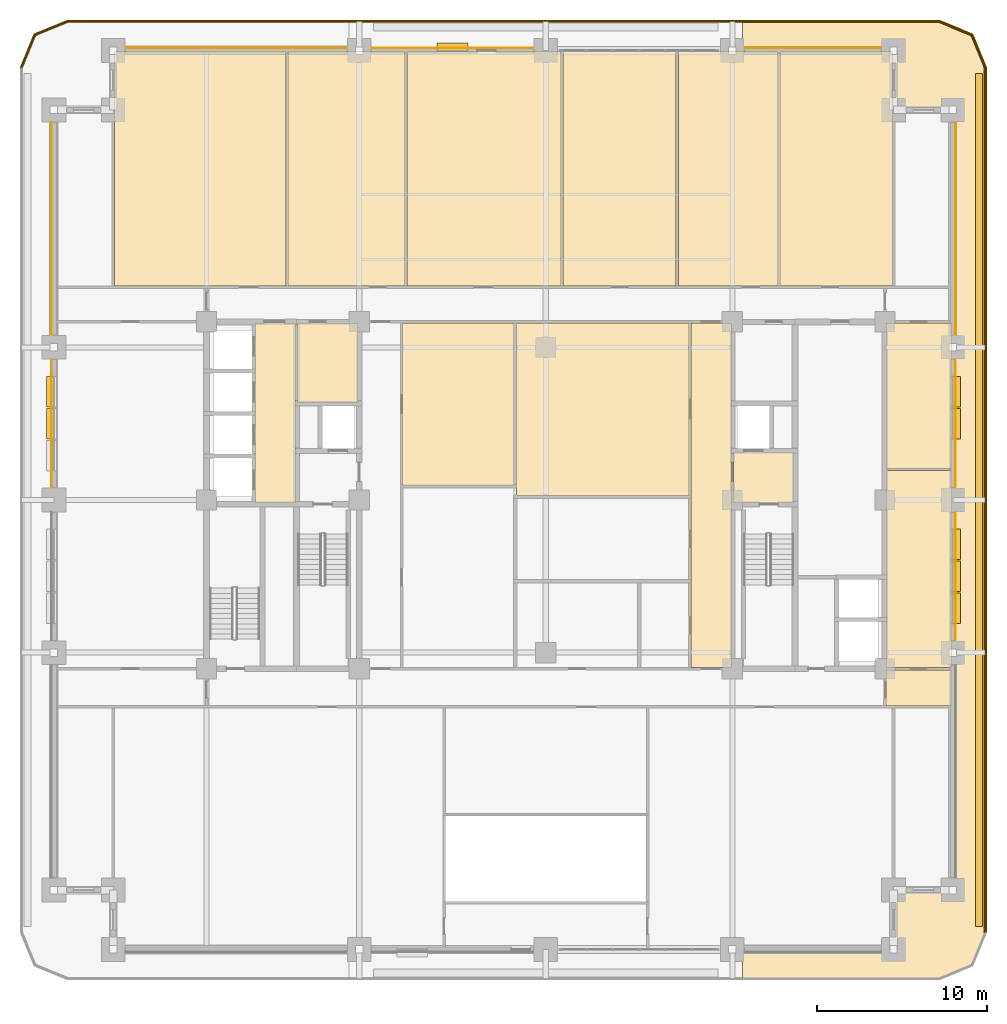
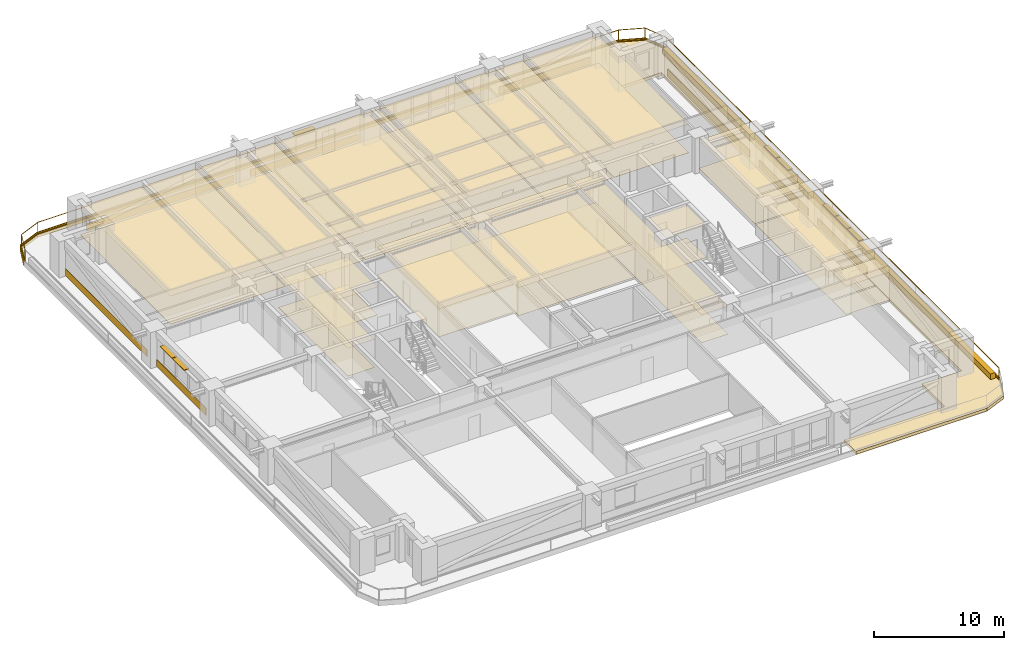
# One storey, part 20 of 20: 46 coverings, 8 shading devices, 2 railings.
"""IFC4 building model written with IfcOpenShell, lengths in metres."""

from ifc_helpers import new_model, si_unit, direction, frame, frame_2d, origin, origin_2d, place, context, subcontext, project, spatial, polyline, rectangle, outline, extrude, material, layer, layer_set, type_object, element, save


model = new_model("IFC4")

# Units and contexts
model_context = context("Model", 3, precision=1e-05, world=origin(), true_north=direction((0.0, 1.0)))
body_context = subcontext(model_context, "Body", "Model", "MODEL_VIEW")
ifc_project = project(units=[si_unit("LENGTHUNIT", "METRE"), si_unit("AREAUNIT", "SQUARE_METRE"), si_unit("VOLUMEUNIT", "CUBIC_METRE"), si_unit("PLANEANGLEUNIT", "RADIAN"), si_unit("MASSUNIT", "GRAM", prefix="KILO")], contexts=[model_context])

# Site, building, storey
site_placement = place(None, origin())
site = spatial("IfcSite", under=ifc_project, at=site_placement, CompositionType="ELEMENT")
building_placement = place(site_placement, origin())
building = spatial("IfcBuilding", under=site, at=building_placement, Name="Zulmaris Gate Convention Tower", CompositionType="ELEMENT")
storey_placement = place(building_placement, frame((0.0, 0.0, 75.0400390625)))
storey = spatial("IfcBuildingStorey", under=building, at=storey_placement, Name="L18", CompositionType="ELEMENT", Elevation=75.0400390625)

# Coverings
ifc_material_1 = material(Name="Precast concrete C40/50", Category="concrete")
ifc_layer_1 = layer(ifc_material_1, 0.0400390625, Name="Precast concrete C40/50")
ifc_layer_set_1 = layer_set([ifc_layer_1], Name="Precast concrete C40/50")
covering_type_1 = type_object("IfcCoveringType", Name="CLAD-SPANDREL-PRECAST", PredefinedType="CLADDING", material=ifc_layer_set_1)
covering_1_placement = place(storey_placement, frame((-11.72998046875, 26.64990234375, 0.0), z_axis=(0.0, 0.0, 1.0), x_axis=(-1.0, 0.0, 0.0)))
element("IfcCovering", 1, at=covering_1_placement, inside=storey, type_object=covering_type_1, Name="CLD-L18-N-0_0", PredefinedType="CLADDING", context=body_context, shape_type="SweptSolid", body=[
    extrude(rectangle(XDim=13.0400390625, YDim=0.0400390625, at=frame_2d((6.52001953125, 0.0))), origin(), (0.0, 0.0, 1.0), 0.679931640625),
])
covering_2_placement = place(storey_placement, frame((-0.72998046875, 26.64990234375, 0.0), z_axis=(0.0, 0.0, 1.0), x_axis=(-1.0, 0.0, 0.0)))
element("IfcCovering", 2, at=covering_2_placement, inside=storey, type_object=covering_type_1, Name="CLD-L18-N-1_0", PredefinedType="CLADDING", context=body_context, shape_type="SweptSolid", body=[
    extrude(rectangle(XDim=9.5400390625, YDim=0.0400390625, at=frame_2d((4.77001953125, 0.0))), origin(), (0.0, 0.0, 1.0), 0.679931640625),
])
covering_3_placement = place(storey_placement, frame((19.77001953125, 26.64990234375, 0.0), z_axis=(0.0, 0.0, 1.0), x_axis=(-1.0, 0.0, 0.0)))
element("IfcCovering", 3, at=covering_3_placement, inside=storey, type_object=covering_type_1, Name="CLD-L18-N-3_0", PredefinedType="CLADDING", context=body_context, shape_type="SweptSolid", body=[
    extrude(rectangle(XDim=8.0400390625, YDim=0.0400390625, at=frame_2d((4.02001953125, 0.0))), origin(), (0.0, 0.0, 1.0), 0.679931640625),
])
for number, where, z_axis, x_axis, name in (
    (4, (24.14990234375, -8.27001953125, 0.0), (0.0, 0.0, 1.0), (0.0, 1.0, 0.0), "CLD-L18-E-1_0"),
    (5, (24.14990234375, 0.72998046875, 0.0), (0.0, 0.0, 1.0), (0.0, 1.0, 0.0), "CLD-L18-E-2_0"),
):
    element("IfcCovering", number, at=place(storey_placement, frame(where, z_axis=z_axis, x_axis=x_axis)), inside=storey, type_object=covering_type_1, Name=name, PredefinedType="CLADDING", context=body_context, shape_type="SweptSolid", body=[
        extrude(rectangle(XDim=7.5400390625, YDim=0.0400390625, at=frame_2d((3.77001953125, 0.0))), origin(), (0.0, 0.0, 1.0), 0.679931640625),
    ])
covering_4_placement = place(storey_placement, frame((24.14990234375, 9.72998046875, 0.0), z_axis=(0.0, 0.0, 1.0), x_axis=(0.0, 1.0, 0.0)))
element("IfcCovering", 6, at=covering_4_placement, inside=storey, type_object=covering_type_1, Name="CLD-L18-E-3_0", PredefinedType="CLADDING", context=body_context, shape_type="SweptSolid", body=[
    extrude(rectangle(XDim=12.5400390625, YDim=0.0400390625, at=frame_2d((6.27001953125, 0.0))), origin(), (0.0, 0.0, 1.0), 0.679931640625),
])
covering_5_placement = place(storey_placement, frame((-29.14990234375, 8.27001953125, 0.0), z_axis=(0.0, 0.0, 1.0), x_axis=(0.0, -1.0, 0.0)))
element("IfcCovering", 7, at=covering_5_placement, inside=storey, type_object=covering_type_1, Name="CLD-L18-W-2_0", PredefinedType="CLADDING", context=body_context, shape_type="SweptSolid", body=[
    extrude(rectangle(XDim=7.5400390625, YDim=0.0400390625, at=frame_2d((3.77001953125, 0.0))), origin(), (0.0, 0.0, 1.0), 0.679931640625),
])
covering_6_placement = place(storey_placement, frame((-29.14990234375, 22.27001953125, 0.0), z_axis=(0.0, 0.0, 1.0), x_axis=(0.0, -1.0, 0.0)))
element("IfcCovering", 8, at=covering_6_placement, inside=storey, type_object=covering_type_1, Name="CLD-L18-W-3_0", PredefinedType="CLADDING", context=body_context, shape_type="SweptSolid", body=[
    extrude(rectangle(XDim=12.5400390625, YDim=0.0400390625, at=frame_2d((6.27001953125, 0.0))), origin(), (0.0, 0.0, 1.0), 0.679931640625),
])
ifc_material_2 = material(Name="White Glazed Architectural Precast Concrete C40/50", Category="concrete")
ifc_layer_2 = layer(ifc_material_2, 0.239990234375, Name="White Glazed Architectural Precast Concrete C40/50")
ifc_layer_set_2 = layer_set([ifc_layer_2], Name="White Glazed Architectural Precast Concrete C40/50")
covering_type_2 = type_object("IfcCoveringType", Name="CLAD-TRAY-DECK", PredefinedType="CLADDING", material=ifc_layer_set_2)
covering_7_placement = place(storey_placement, frame((0.0, 0.0, -0.324951171875)))
element("IfcCovering", 9, at=covering_7_placement, inside=storey, type_object=covering_type_2, Name="L18 East Rounded-Fascia Planter Tray Deck", PredefinedType="CLADDING", context=body_context, shape_type="SweptSolid", body=[
    extrude(outline(polyline([(23.199951171875, 28.300048828125), (25.179931640625, 27.47998046875), (26.0, 25.5), (26.0, -25.5), (25.179931640625, -27.47998046875), (23.199951171875, -28.300048828125), (11.60205078125, -28.300048828125), (11.60205078125, -26.5), (20.5, -26.5), (20.5, -23.0), (24.0, -23.0), (24.0, 23.0), (20.5, 23.0), (20.5, 26.5), (11.60205078125, 26.5), (11.60205078125, 28.300048828125), (23.199951171875, 28.300048828125)])), origin(), (0.0, 0.0, 1.0), 0.284912109375),
])
ifc_layer_3 = layer(ifc_material_2, 0.080078125, Name="White Glazed Architectural Precast Concrete C40/50")
ifc_layer_set_3 = layer_set([ifc_layer_3], Name="White Glazed Architectural Precast Concrete C40/50")
covering_type_3 = type_object("IfcCoveringType", Name="CLAD-TRAY-FASCIA", PredefinedType="CLADDING", material=ifc_layer_set_3)
covering_8_placement = place(storey_placement, frame((25.9599609375, -25.5, -0.364990234375), z_axis=(0.0, 0.0, 1.0), x_axis=(0.0, 1.0, 0.0)))
element("IfcCovering", 10, at=covering_8_placement, inside=storey, type_object=covering_type_3, Name="FSC-L18-TR-05", PredefinedType="CLADDING", context=body_context, shape_type="SweptSolid", body=[
    extrude(rectangle(XDim=51.0, YDim=0.080078125, at=frame_2d((25.5, 0.0))), origin(), (0.0, 0.0, 1.0), 0.48486328125),
])
covering_9_placement = place(storey_placement, frame((25.962890625, 25.484619140625, -0.364990234375), z_axis=(0.0, 0.0, 1.0), x_axis=(-0.382656984709, 0.923890487046, 0.0)))
element("IfcCovering", 11, at=covering_9_placement, inside=storey, type_object=covering_type_3, Name="FSC-L18-TR-06", PredefinedType="CLADDING", context=body_context, shape_type="SweptSolid", body=[
    extrude(rectangle(XDim=2.14306640625, YDim=0.080078125, at=frame_2d((1.071533203125, 0.0))), origin(), (0.0, 0.0, 1.0), 0.48486328125),
])
covering_10_placement = place(storey_placement, frame((25.16455078125, 27.44287109375, -0.364990234375), z_axis=(0.0, 0.0, 1.0), x_axis=(-0.923873803533, 0.382697263049, 0.0)))
element("IfcCovering", 12, at=covering_10_placement, inside=storey, type_object=covering_type_3, Name="FSC-L18-TR-07", PredefinedType="CLADDING", context=body_context, shape_type="SweptSolid", body=[
    extrude(rectangle(XDim=2.142822265625, YDim=0.080078125, at=frame_2d((1.0712890625, 0.0))), origin(), (0.0, 0.0, 1.0), 0.48486328125),
])
covering_11_placement = place(storey_placement, frame((23.199951171875, 28.260009765625, -0.364990234375), z_axis=(0.0, 0.0, 1.0), x_axis=(-1.0, 0.0, 0.0)))
element("IfcCovering", 13, at=covering_11_placement, inside=storey, type_object=covering_type_3, Name="FSC-L18-TR-08", PredefinedType="CLADDING", context=body_context, shape_type="SweptSolid", body=[
    extrude(rectangle(XDim=51.39990234375, YDim=0.080078125, at=frame_2d((25.699951171875, 0.0))), origin(), (0.0, 0.0, 1.0), 0.48486328125),
])
covering_12_placement = place(storey_placement, frame((-28.184814453125, 28.262939453125, -0.364990234375), z_axis=(0.0, 0.0, 1.0), x_axis=(-0.923873803533, -0.382697263049, 0.0)))
element("IfcCovering", 14, at=covering_12_placement, inside=storey, type_object=covering_type_3, Name="FSC-L18-TR-09", PredefinedType="CLADDING", context=body_context, shape_type="SweptSolid", body=[
    extrude(rectangle(XDim=2.142822265625, YDim=0.080078125, at=frame_2d((1.0712890625, 0.0))), origin(), (0.0, 0.0, 1.0), 0.48486328125),
])
covering_13_placement = place(storey_placement, frame((-30.142822265625, 27.464599609375, -0.364990234375), z_axis=(0.0, 0.0, 1.0), x_axis=(-0.382656984709, -0.923890487046, 0.0)))
element("IfcCovering", 15, at=covering_13_placement, inside=storey, type_object=covering_type_3, Name="FSC-L18-TR-10", PredefinedType="CLADDING", context=body_context, shape_type="SweptSolid", body=[
    extrude(rectangle(XDim=2.14306640625, YDim=0.080078125, at=frame_2d((1.071533203125, 0.0))), origin(), (0.0, 0.0, 1.0), 0.48486328125),
])
ifc_material_3 = material(Name="Mineral Fibre Acoustic Ceiling Tile")
ifc_layer_4 = layer(ifc_material_3, 0.02001953125, Name="Mineral Fibre Acoustic Ceiling Tile")
ifc_layer_set_4 = layer_set([ifc_layer_4], Name="Mineral Fibre Acoustic Ceiling Tile")
covering_type_4 = type_object("IfcCoveringType", Name="CLG-ACOUSTIC-600", PredefinedType="CEILING", material=ifc_layer_set_4)
covering_14_placement = place(storey_placement, frame((0.0, 0.0, 3.039794921875)))
element("IfcCovering", 16, at=covering_14_placement, inside=storey, type_object=covering_type_4, Name="CLG-L18-R08", PredefinedType="CEILING", context=body_context, shape_type="SweptSolid", body=[
    extrude(outline(polyline([(11.06005859375, -0.18994140625), (14.639892578125, -0.18994140625), (14.639892578125, 2.840087890625), (11.06005859375, 2.840087890625), (11.06005859375, -0.18994140625)])), origin(), (0.0, 0.0, 1.0), 0.02001953125),
])
covering_15_placement = place(storey_placement, frame((0.0, 0.0, 2.6279296875)))
element("IfcCovering", 17, at=covering_15_placement, inside=storey, type_object=covering_type_4, Name="CLG-L18-R11", PredefinedType="CEILING", context=body_context, shape_type="SweptSolid", body=[
    extrude(outline(polyline([(-14.639892578125, 5.760009765625), (-11.06005859375, 5.760009765625), (-11.06005859375, 10.43994140625), (-14.639892578125, 10.43994140625), (-14.639892578125, 5.760009765625)])), origin(), (0.0, 0.0, 1.0), 0.02001953125),
])
covering_16_placement = place(storey_placement, frame((0.0, 0.0, 2.6279296875)))
element("IfcCovering", 18, at=covering_16_placement, inside=storey, type_object=covering_type_4, Name="CLG-L18-R15", PredefinedType="CEILING", context=body_context, shape_type="SweptSolid", body=[
    extrude(outline(polyline([(-17.139892578125, -0.18994140625), (-14.760009765625, -0.18994140625), (-14.760009765625, 10.43994140625), (-17.139892578125, 10.43994140625), (-17.139892578125, -0.18994140625)])), origin(), (0.0, 0.0, 1.0), 0.02001953125),
])
covering_17_placement = place(storey_placement, frame((0.0, 0.0, 2.6279296875)))
element("IfcCovering", 19, at=covering_17_placement, inside=storey, type_object=covering_type_4, Name="CLG-L18-R29", PredefinedType="CEILING", context=body_context, shape_type="SweptSolid", body=[
    extrude(outline(polyline([(8.56005859375, -9.889892578125), (10.93994140625, -9.889892578125), (10.93994140625, 10.43994140625), (8.56005859375, 10.43994140625), (8.56005859375, -9.889892578125)])), origin(), (0.0, 0.0, 1.0), 0.02001953125),
])
covering_18_placement = place(storey_placement, frame((0.0, 0.0, 2.6279296875)))
element("IfcCovering", 20, at=covering_18_placement, inside=storey, type_object=covering_type_4, Name="CLG-L18-R30", PredefinedType="CEILING", context=body_context, shape_type="SweptSolid", body=[
    extrude(outline(polyline([(-25.43994140625, 12.610107421875), (-15.31005859375, 12.610107421875), (-15.31005859375, 26.43994140625), (-25.43994140625, 26.43994140625), (-25.43994140625, 12.610107421875)])), origin(), (0.0, 0.0, 1.0), 0.02001953125),
])
covering_19_placement = place(storey_placement, frame((0.0, 0.0, 2.6279296875)))
element("IfcCovering", 21, at=covering_19_placement, inside=storey, type_object=covering_type_4, Name="CLG-L18-R31", PredefinedType="CEILING", context=body_context, shape_type="SweptSolid", body=[
    extrude(outline(polyline([(-15.18994140625, 12.610107421875), (-8.31005859375, 12.610107421875), (-8.31005859375, 26.43994140625), (-15.18994140625, 26.43994140625), (-15.18994140625, 12.610107421875)])), origin(), (0.0, 0.0, 1.0), 0.02001953125),
])
covering_20_placement = place(storey_placement, frame((0.0, 0.0, 2.6279296875)))
element("IfcCovering", 22, at=covering_20_placement, inside=storey, type_object=covering_type_4, Name="CLG-L18-R32", PredefinedType="CEILING", context=body_context, shape_type="SweptSolid", body=[
    extrude(outline(polyline([(-8.18994140625, 12.610107421875), (0.889892578125, 12.610107421875), (0.889892578125, 26.43994140625), (-8.18994140625, 26.43994140625), (-8.18994140625, 12.610107421875)])), origin(), (0.0, 0.0, 1.0), 0.02001953125),
])
covering_21_placement = place(storey_placement, frame((0.0, 0.0, 2.679931640625)))
element("IfcCovering", 23, at=covering_21_placement, inside=storey, type_object=covering_type_4, Name="CLG-L18-R33", PredefinedType="CEILING", context=body_context, shape_type="SweptSolid", body=[
    extrude(outline(polyline([(1.010009765625, 12.610107421875), (7.68994140625, 12.610107421875), (7.68994140625, 26.43994140625), (1.010009765625, 26.43994140625), (1.010009765625, 12.610107421875)])), origin(), (0.0, 0.0, 1.0), 0.02001953125),
])
covering_22_placement = place(storey_placement, frame((0.0, 0.0, 2.6279296875)))
element("IfcCovering", 24, at=covering_22_placement, inside=storey, type_object=covering_type_4, Name="CLG-L18-R34", PredefinedType="CEILING", context=body_context, shape_type="SweptSolid", body=[
    extrude(outline(polyline([(7.81005859375, 12.610107421875), (13.68994140625, 12.610107421875), (13.68994140625, 26.43994140625), (7.81005859375, 26.43994140625), (7.81005859375, 12.610107421875)])), origin(), (0.0, 0.0, 1.0), 0.02001953125),
])
covering_23_placement = place(storey_placement, frame((0.0, 0.0, 2.679931640625)))
element("IfcCovering", 25, at=covering_23_placement, inside=storey, type_object=covering_type_4, Name="CLG-L18-R35", PredefinedType="CEILING", context=body_context, shape_type="SweptSolid", body=[
    extrude(outline(polyline([(13.81005859375, 12.610107421875), (20.43994140625, 12.610107421875), (20.43994140625, 26.43994140625), (13.81005859375, 26.43994140625), (13.81005859375, 12.610107421875)])), origin(), (0.0, 0.0, 1.0), 0.02001953125),
])
covering_24_placement = place(storey_placement, frame((0.0, 0.0, 2.6279296875)))
element("IfcCovering", 26, at=covering_24_placement, inside=storey, type_object=covering_type_4, Name="CLG-L18-R40", PredefinedType="CEILING", context=body_context, shape_type="SweptSolid", body=[
    extrude(outline(polyline([(-8.43994140625, 0.860107421875), (-1.860107421875, 0.860107421875), (-1.860107421875, 10.43994140625), (-8.43994140625, 10.43994140625), (-8.43994140625, 0.860107421875)])), origin(), (0.0, 0.0, 1.0), 0.02001953125),
])
covering_25_placement = place(storey_placement, frame((0.0, 0.0, 2.6279296875)))
element("IfcCovering", 27, at=covering_25_placement, inside=storey, type_object=covering_type_4, Name="CLG-L18-R42", PredefinedType="CEILING", context=body_context, shape_type="SweptSolid", body=[
    extrude(outline(polyline([(-1.739990234375, 0.260009765625), (8.43994140625, 0.260009765625), (8.43994140625, 10.43994140625), (-1.739990234375, 10.43994140625), (-1.739990234375, 0.260009765625)])), origin(), (0.0, 0.0, 1.0), 0.02001953125),
])
covering_26_placement = place(storey_placement, frame((0.0, 0.0, 2.6279296875)))
element("IfcCovering", 28, at=covering_26_placement, inside=storey, type_object=covering_type_4, Name="CLG-L18-R50", PredefinedType="CEILING", context=body_context, shape_type="SweptSolid", body=[
    extrude(outline(polyline([(20.06005859375, -12.139892578125), (23.93994140625, -12.139892578125), (23.93994140625, -10.010009765625), (20.06005859375, -10.010009765625), (20.06005859375, -12.139892578125)])), origin(), (0.0, 0.0, 1.0), 0.02001953125),
])
covering_27_placement = place(storey_placement, frame((0.0, 0.0, 2.6279296875)))
element("IfcCovering", 29, at=covering_27_placement, inside=storey, type_object=covering_type_4, Name="CLG-L18-R51", PredefinedType="CEILING", context=body_context, shape_type="SweptSolid", body=[
    extrude(outline(polyline([(20.06005859375, 1.860107421875), (23.93994140625, 1.860107421875), (23.93994140625, 10.43994140625), (20.06005859375, 10.43994140625), (20.06005859375, 1.860107421875)])), origin(), (0.0, 0.0, 1.0), 0.02001953125),
])
covering_28_placement = place(storey_placement, frame((0.0, 0.0, 2.6279296875)))
element("IfcCovering", 30, at=covering_28_placement, inside=storey, type_object=covering_type_4, Name="CLG-L18-R52", PredefinedType="CEILING", context=body_context, shape_type="SweptSolid", body=[
    extrude(outline(polyline([(20.06005859375, -9.889892578125), (23.93994140625, -9.889892578125), (23.93994140625, 1.739990234375), (20.06005859375, 1.739990234375), (20.06005859375, -9.889892578125)])), origin(), (0.0, 0.0, 1.0), 0.02001953125),
])
ifc_material_4 = material(Name="Woven Acoustic Wool Carpet Tile")
ifc_layer_5 = layer(ifc_material_4, 0.02001953125, Name="Woven Acoustic Wool Carpet Tile")
ifc_layer_set_5 = layer_set([ifc_layer_5], Name="Woven Acoustic Wool Carpet Tile")
covering_type_5 = type_object("IfcCoveringType", Name="FLR-CARPET-12", PredefinedType="FLOORING", material=ifc_layer_set_5)
covering_29_placement = place(storey_placement, origin())
element("IfcCovering", 31, at=covering_29_placement, inside=storey, type_object=covering_type_5, Name="FLR-L18-R08", PredefinedType="FLOORING", context=body_context, shape_type="SweptSolid", body=[
    extrude(outline(polyline([(11.06005859375, -0.18994140625), (14.639892578125, -0.18994140625), (14.639892578125, 2.840087890625), (11.06005859375, 2.840087890625), (11.06005859375, -0.18994140625)])), origin(), (0.0, 0.0, 1.0), 0.02001953125),
])
covering_30_placement = place(storey_placement, origin())
element("IfcCovering", 32, at=covering_30_placement, inside=storey, type_object=covering_type_5, Name="FLR-L18-R11", PredefinedType="FLOORING", context=body_context, shape_type="SweptSolid", body=[
    extrude(outline(polyline([(-14.639892578125, 5.760009765625), (-11.06005859375, 5.760009765625), (-11.06005859375, 10.43994140625), (-14.639892578125, 10.43994140625), (-14.639892578125, 5.760009765625)])), origin(), (0.0, 0.0, 1.0), 0.02001953125),
])
covering_31_placement = place(storey_placement, origin())
element("IfcCovering", 33, at=covering_31_placement, inside=storey, type_object=covering_type_5, Name="FLR-L18-R15", PredefinedType="FLOORING", context=body_context, shape_type="SweptSolid", body=[
    extrude(outline(polyline([(-17.139892578125, -0.18994140625), (-14.760009765625, -0.18994140625), (-14.760009765625, 10.43994140625), (-17.139892578125, 10.43994140625), (-17.139892578125, -0.18994140625)])), origin(), (0.0, 0.0, 1.0), 0.02001953125),
])
covering_32_placement = place(storey_placement, origin())
element("IfcCovering", 34, at=covering_32_placement, inside=storey, type_object=covering_type_5, Name="FLR-L18-R29", PredefinedType="FLOORING", context=body_context, shape_type="SweptSolid", body=[
    extrude(outline(polyline([(8.56005859375, -9.889892578125), (10.93994140625, -9.889892578125), (10.93994140625, 10.43994140625), (8.56005859375, 10.43994140625), (8.56005859375, -9.889892578125)])), origin(), (0.0, 0.0, 1.0), 0.02001953125),
])
covering_33_placement = place(storey_placement, origin())
element("IfcCovering", 35, at=covering_33_placement, inside=storey, type_object=covering_type_5, Name="FLR-L18-R31", PredefinedType="FLOORING", context=body_context, shape_type="SweptSolid", body=[
    extrude(outline(polyline([(-15.18994140625, 12.610107421875), (-8.31005859375, 12.610107421875), (-8.31005859375, 26.43994140625), (-15.18994140625, 26.43994140625), (-15.18994140625, 12.610107421875)])), origin(), (0.0, 0.0, 1.0), 0.02001953125),
])
covering_34_placement = place(storey_placement, origin())
element("IfcCovering", 36, at=covering_34_placement, inside=storey, type_object=covering_type_5, Name="FLR-L18-R32", PredefinedType="FLOORING", context=body_context, shape_type="SweptSolid", body=[
    extrude(outline(polyline([(-8.18994140625, 12.610107421875), (0.889892578125, 12.610107421875), (0.889892578125, 26.43994140625), (-8.18994140625, 26.43994140625), (-8.18994140625, 12.610107421875)])), origin(), (0.0, 0.0, 1.0), 0.02001953125),
])
covering_35_placement = place(storey_placement, origin())
element("IfcCovering", 37, at=covering_35_placement, inside=storey, type_object=covering_type_5, Name="FLR-L18-R33", PredefinedType="FLOORING", context=body_context, shape_type="SweptSolid", body=[
    extrude(outline(polyline([(1.010009765625, 12.610107421875), (7.68994140625, 12.610107421875), (7.68994140625, 26.43994140625), (1.010009765625, 26.43994140625), (1.010009765625, 12.610107421875)])), origin(), (0.0, 0.0, 1.0), 0.02001953125),
])
covering_36_placement = place(storey_placement, origin())
element("IfcCovering", 38, at=covering_36_placement, inside=storey, type_object=covering_type_5, Name="FLR-L18-R35", PredefinedType="FLOORING", context=body_context, shape_type="SweptSolid", body=[
    extrude(outline(polyline([(13.81005859375, 12.610107421875), (20.43994140625, 12.610107421875), (20.43994140625, 26.43994140625), (13.81005859375, 26.43994140625), (13.81005859375, 12.610107421875)])), origin(), (0.0, 0.0, 1.0), 0.02001953125),
])
covering_37_placement = place(storey_placement, origin())
element("IfcCovering", 39, at=covering_37_placement, inside=storey, type_object=covering_type_5, Name="FLR-L18-R42", PredefinedType="FLOORING", context=body_context, shape_type="SweptSolid", body=[
    extrude(outline(polyline([(-1.739990234375, 0.260009765625), (8.43994140625, 0.260009765625), (8.43994140625, 10.43994140625), (-1.739990234375, 10.43994140625), (-1.739990234375, 0.260009765625)])), origin(), (0.0, 0.0, 1.0), 0.02001953125),
])
covering_38_placement = place(storey_placement, origin())
element("IfcCovering", 40, at=covering_38_placement, inside=storey, type_object=covering_type_5, Name="FLR-L18-R50", PredefinedType="FLOORING", context=body_context, shape_type="SweptSolid", body=[
    extrude(outline(polyline([(20.06005859375, -12.139892578125), (23.93994140625, -12.139892578125), (23.93994140625, -10.010009765625), (20.06005859375, -10.010009765625), (20.06005859375, -12.139892578125)])), origin(), (0.0, 0.0, 1.0), 0.02001953125),
])
covering_39_placement = place(storey_placement, origin())
element("IfcCovering", 41, at=covering_39_placement, inside=storey, type_object=covering_type_5, Name="FLR-L18-R51", PredefinedType="FLOORING", context=body_context, shape_type="SweptSolid", body=[
    extrude(outline(polyline([(20.06005859375, 1.860107421875), (23.93994140625, 1.860107421875), (23.93994140625, 10.43994140625), (20.06005859375, 10.43994140625), (20.06005859375, 1.860107421875)])), origin(), (0.0, 0.0, 1.0), 0.02001953125),
])
covering_40_placement = place(storey_placement, origin())
element("IfcCovering", 42, at=covering_40_placement, inside=storey, type_object=covering_type_5, Name="FLR-L18-R52", PredefinedType="FLOORING", context=body_context, shape_type="SweptSolid", body=[
    extrude(outline(polyline([(20.06005859375, -9.889892578125), (23.93994140625, -9.889892578125), (23.93994140625, 1.739990234375), (20.06005859375, 1.739990234375), (20.06005859375, -9.889892578125)])), origin(), (0.0, 0.0, 1.0), 0.02001953125),
])
ifc_material_5 = material(Name="Engineered Teak Parquet Flooring")
ifc_layer_6 = layer(ifc_material_5, 0.02001953125, Name="Engineered Teak Parquet Flooring")
ifc_layer_set_6 = layer_set([ifc_layer_6], Name="Engineered Teak Parquet Flooring")
covering_type_6 = type_object("IfcCoveringType", Name="FLR-TIMBER-18", PredefinedType="FLOORING", material=ifc_layer_set_6)
covering_41_placement = place(storey_placement, origin())
element("IfcCovering", 43, at=covering_41_placement, inside=storey, type_object=covering_type_6, Name="FLR-L18-R30", PredefinedType="FLOORING", context=body_context, shape_type="SweptSolid", body=[
    extrude(outline(polyline([(-25.43994140625, 12.610107421875), (-15.31005859375, 12.610107421875), (-15.31005859375, 26.43994140625), (-25.43994140625, 26.43994140625), (-25.43994140625, 12.610107421875)])), origin(), (0.0, 0.0, 1.0), 0.02001953125),
])
covering_42_placement = place(storey_placement, origin())
element("IfcCovering", 44, at=covering_42_placement, inside=storey, type_object=covering_type_6, Name="FLR-L18-R34", PredefinedType="FLOORING", context=body_context, shape_type="SweptSolid", body=[
    extrude(outline(polyline([(7.81005859375, 12.610107421875), (13.68994140625, 12.610107421875), (13.68994140625, 26.43994140625), (7.81005859375, 26.43994140625), (7.81005859375, 12.610107421875)])), origin(), (0.0, 0.0, 1.0), 0.02001953125),
])
covering_43_placement = place(storey_placement, origin())
element("IfcCovering", 45, at=covering_43_placement, inside=storey, type_object=covering_type_6, Name="FLR-L18-R40", PredefinedType="FLOORING", context=body_context, shape_type="SweptSolid", body=[
    extrude(outline(polyline([(-8.43994140625, 0.860107421875), (-1.860107421875, 0.860107421875), (-1.860107421875, 10.43994140625), (-8.43994140625, 10.43994140625), (-8.43994140625, 0.860107421875)])), origin(), (0.0, 0.0, 1.0), 0.02001953125),
])
ifc_material_6 = material(Name="Botanical Green Glazed Precast Concrete C40/50", Category="concrete")
ifc_layer_7 = layer(ifc_material_6, 0.419921875, Name="Botanical Green Glazed Precast Concrete C40/50")
ifc_layer_set_7 = layer_set([ifc_layer_7], Name="Botanical Green Glazed Precast Concrete C40/50")
covering_type_7 = type_object("IfcCoveringType", Name="PLANTER-BOX-200", PredefinedType="CLADDING", material=ifc_layer_set_7)
covering_44_placement = place(storey_placement, frame((0.0, 0.0, -0.0400390625)))
element("IfcCovering", 46, at=covering_44_placement, inside=storey, type_object=covering_type_7, Name="L18 E Full-Length Balcony Tree Planter Trough", PredefinedType="CLADDING", context=body_context, shape_type="SweptSolid", body=[
    extrude(outline(polyline([(25.340087890625, -25.14990234375), (25.760009765625, -25.14990234375), (25.760009765625, 25.14990234375), (25.340087890625, 25.14990234375), (25.340087890625, -25.14990234375)])), origin(), (0.0, 0.0, 1.0), 0.52001953125),
])

# Railings
ifc_material_7 = material(Name="Laminated Glass and Stainless Steel", Category="steel")
railing_type = type_object("IfcRailingType", Name="RL-BALC-1150", PredefinedType="BALUSTRADE", material=ifc_material_7)
railing_1_placement = place(storey_placement, frame((25.8798828125, -25.5, -0.0400390625)))
element("IfcRailing", 47, at=railing_1_placement, inside=storey, type_object=railing_type, Name="RL-L18-BALC-E", PredefinedType="BALUSTRADE", context=body_context, shape_type="SweptSolid", body=[
    extrude(rectangle(XDim=0.048095703125, YDim=0.048095703125, at=origin_2d()), frame((0.0, 0.0, 1.1259765625), z_axis=(0.0, 1.0, 0.0), x_axis=(-1.0, 0.0, 0.0)), (0.0, 0.0, 1.0), 51.0),
    extrude(rectangle(XDim=0.048095703125, YDim=0.048095703125, at=origin_2d()), frame((0.0, 0.0, 0.02392578125), z_axis=(0.0, 1.0, 0.0), x_axis=(-1.0, 0.0, 0.0)), (0.0, 0.0, 1.0), 51.0),
    extrude(rectangle(XDim=0.0419921875, YDim=0.0419921875, at=origin_2d()), origin(), (0.0, 0.0, 1.0), 1.101806640625),
    extrude(rectangle(XDim=0.0419921875, YDim=0.0419921875, at=origin_2d()), frame((0.0, 12.75, 0.0)), (0.0, 0.0, 1.0), 1.101806640625),
    extrude(rectangle(XDim=0.0419921875, YDim=0.0419921875, at=origin_2d()), frame((0.0, 25.5, 0.0)), (0.0, 0.0, 1.0), 1.101806640625),
    extrude(rectangle(XDim=0.0419921875, YDim=0.0419921875, at=origin_2d()), frame((0.0, 38.25, 0.0)), (0.0, 0.0, 1.0), 1.101806640625),
    extrude(rectangle(XDim=0.0419921875, YDim=0.0419921875, at=origin_2d()), frame((0.0, 51.0, 0.0)), (0.0, 0.0, 1.0), 1.101806640625),
])
railing_2_placement = place(storey_placement, frame((25.8798828125, 25.5, -0.0400390625)))
element("IfcRailing", 48, at=railing_2_placement, inside=storey, type_object=railing_type, Name="RL-L18-BALC-N", PredefinedType="BALUSTRADE", context=body_context, shape_type="SweptSolid", body=[
    extrude(rectangle(XDim=0.048095703125, YDim=0.048095703125, at=origin_2d()), frame((0.0, 0.0, 1.1259765625), z_axis=(-0.382670664694, 0.92388482095, 0.0), x_axis=(-0.92388482095, -0.382670664694, 0.0)), (0.0, 0.0, 1.0), 2.051025390625),
    extrude(rectangle(XDim=0.048095703125, YDim=0.048095703125, at=origin_2d()), frame((0.0, 0.0, 0.02392578125), z_axis=(-0.382670664694, 0.92388482095, 0.0), x_axis=(-0.92388482095, -0.382670664694, 0.0)), (0.0, 0.0, 1.0), 2.051025390625),
    extrude(rectangle(XDim=0.048095703125, YDim=0.048095703125, at=origin_2d()), frame((-0.784912109375, 1.89501953125, 1.1259765625), z_axis=(-0.92388482095, 0.382670664694, 0.0), x_axis=(-0.382670664694, -0.92388482095, 0.0)), (0.0, 0.0, 1.0), 2.051025390625),
    extrude(rectangle(XDim=0.048095703125, YDim=0.048095703125, at=origin_2d()), frame((-0.784912109375, 1.89501953125, 0.02392578125), z_axis=(-0.92388482095, 0.382670664694, 0.0), x_axis=(-0.382670664694, -0.92388482095, 0.0)), (0.0, 0.0, 1.0), 2.051025390625),
    extrude(rectangle(XDim=0.048095703125, YDim=0.048095703125, at=origin_2d()), frame((-2.679931640625, 2.679931640625, 1.1259765625), z_axis=(-1.0, 0.0, 0.0), x_axis=(0.0, -1.0, 0.0)), (0.0, 0.0, 1.0), 51.39990234375),
    extrude(rectangle(XDim=0.048095703125, YDim=0.048095703125, at=origin_2d()), frame((-2.679931640625, 2.679931640625, 0.02392578125), z_axis=(-1.0, 0.0, 0.0), x_axis=(0.0, -1.0, 0.0)), (0.0, 0.0, 1.0), 51.39990234375),
    extrude(rectangle(XDim=0.048095703125, YDim=0.048095703125, at=origin_2d()), frame((-54.079833984375, 2.679931640625, 1.1259765625), z_axis=(-0.92388482095, -0.382670664694, 0.0), x_axis=(0.382670664694, -0.92388482095, 0.0)), (0.0, 0.0, 1.0), 2.051025390625),
    extrude(rectangle(XDim=0.048095703125, YDim=0.048095703125, at=origin_2d()), frame((-54.079833984375, 2.679931640625, 0.02392578125), z_axis=(-0.92388482095, -0.382670664694, 0.0), x_axis=(0.382670664694, -0.92388482095, 0.0)), (0.0, 0.0, 1.0), 2.051025390625),
    extrude(rectangle(XDim=0.048095703125, YDim=0.048095703125, at=origin_2d()), frame((-55.974853515625, 1.89501953125, 1.1259765625), z_axis=(-0.382670664694, -0.92388482095, 0.0), x_axis=(0.92388482095, -0.382670664694, 0.0)), (0.0, 0.0, 1.0), 2.051025390625),
    extrude(rectangle(XDim=0.048095703125, YDim=0.048095703125, at=origin_2d()), frame((-55.974853515625, 1.89501953125, 0.02392578125), z_axis=(-0.382670664694, -0.92388482095, 0.0), x_axis=(0.92388482095, -0.382670664694, 0.0)), (0.0, 0.0, 1.0), 2.051025390625),
    extrude(rectangle(XDim=0.0419921875, YDim=0.0419921875, at=origin_2d()), origin(), (0.0, 0.0, 1.0), 1.101806640625),
    extrude(rectangle(XDim=0.0419921875, YDim=0.0419921875, at=origin_2d()), frame((-0.784912109375, 1.89501953125, 0.0)), (0.0, 0.0, 1.0), 1.101806640625),
    extrude(rectangle(XDim=0.0419921875, YDim=0.0419921875, at=origin_2d()), frame((-2.679931640625, 2.679931640625, 0.0)), (0.0, 0.0, 1.0), 1.101806640625),
    extrude(rectangle(XDim=0.0419921875, YDim=0.0419921875, at=origin_2d()), frame((-15.52978515625, 2.679931640625, 0.0)), (0.0, 0.0, 1.0), 1.101806640625),
    extrude(rectangle(XDim=0.0419921875, YDim=0.0419921875, at=origin_2d()), frame((-28.3798828125, 2.679931640625, 0.0)), (0.0, 0.0, 1.0), 1.101806640625),
    extrude(rectangle(XDim=0.0419921875, YDim=0.0419921875, at=origin_2d()), frame((-41.22998046875, 2.679931640625, 0.0)), (0.0, 0.0, 1.0), 1.101806640625),
    extrude(rectangle(XDim=0.0419921875, YDim=0.0419921875, at=origin_2d()), frame((-54.079833984375, 2.679931640625, 0.0)), (0.0, 0.0, 1.0), 1.101806640625),
    extrude(rectangle(XDim=0.0419921875, YDim=0.0419921875, at=origin_2d()), frame((-55.974853515625, 1.89501953125, 0.0)), (0.0, 0.0, 1.0), 1.101806640625),
    extrude(rectangle(XDim=0.0419921875, YDim=0.0419921875, at=origin_2d()), frame((-56.759765625, 0.0, 0.0)), (0.0, 0.0, 1.0), 1.101806640625),
])

# Shading devices
ifc_material_8 = material(Name="Glazed Ceramic Terracotta", Category="masonry")
ifc_layer_8 = layer(ifc_material_8, 0.070068359375, Name="Glazed Ceramic Terracotta")
ifc_layer_set_8 = layer_set([ifc_layer_8], Name="Glazed Ceramic Terracotta")
shading_device_type = type_object("IfcShadingDeviceType", Name="SHD-SUNSHADE-TC", PredefinedType="AWNING", material=ifc_layer_set_8)
for number, where, z_axis, x_axis, name in (
    (49, (-4.60009765625, 26.719970703125, 2.530029296875), (0.0, 0.0, 1.0), (-1.0, 0.0, 0.0), "SHD-EW-L18-N-1_0-2"),
    (50, (24.219970703125, -7.284912109375, 2.530029296875), (0.0, 0.0, 1.0), (0.0, 1.0, 0.0), "SHD-EW-L18-E-1_0-1"),
    (51, (24.219970703125, -5.39990234375, 2.530029296875), (0.0, 0.0, 1.0), (0.0, 1.0, 0.0), "SHD-EW-L18-E-1_0-2"),
    (52, (24.219970703125, -3.514892578125, 2.530029296875), (0.0, 0.0, 1.0), (0.0, 1.0, 0.0), "SHD-EW-L18-E-1_0-3"),
    (53, (24.219970703125, 3.60009765625, 2.530029296875), (0.0, 0.0, 1.0), (0.0, 1.0, 0.0), "SHD-EW-L18-E-2_0-2"),
    (54, (24.219970703125, 5.485107421875, 2.530029296875), (0.0, 0.0, 1.0), (0.0, 1.0, 0.0), "SHD-EW-L18-E-2_0-3"),
    (55, (-29.219970703125, 7.284912109375, 2.530029296875), (0.0, 0.0, 1.0), (0.0, -1.0, 0.0), "SHD-EW-L18-W-2_0-1"),
    (56, (-29.219970703125, 5.39990234375, 2.530029296875), (0.0, 0.0, 1.0), (0.0, -1.0, 0.0), "SHD-EW-L18-W-2_0-2"),
):
    element("IfcShadingDevice", number, at=place(storey_placement, frame(where, z_axis=z_axis, x_axis=x_axis)), inside=storey, type_object=shading_device_type, Name=name, PredefinedType="AWNING", context=body_context, shape_type="SweptSolid", body=[
        extrude(rectangle(XDim=1.7998046875, YDim=0.43994140625, at=frame_2d((0.89990234375, 0.0))), origin(), (0.0, 0.0, 1.0), 0.06982421875),
    ])

save(model, "model.ifc")
